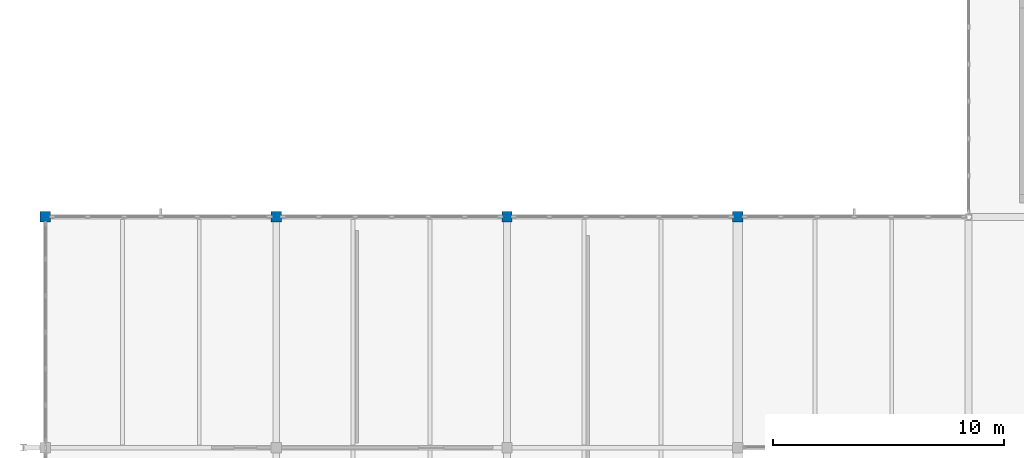
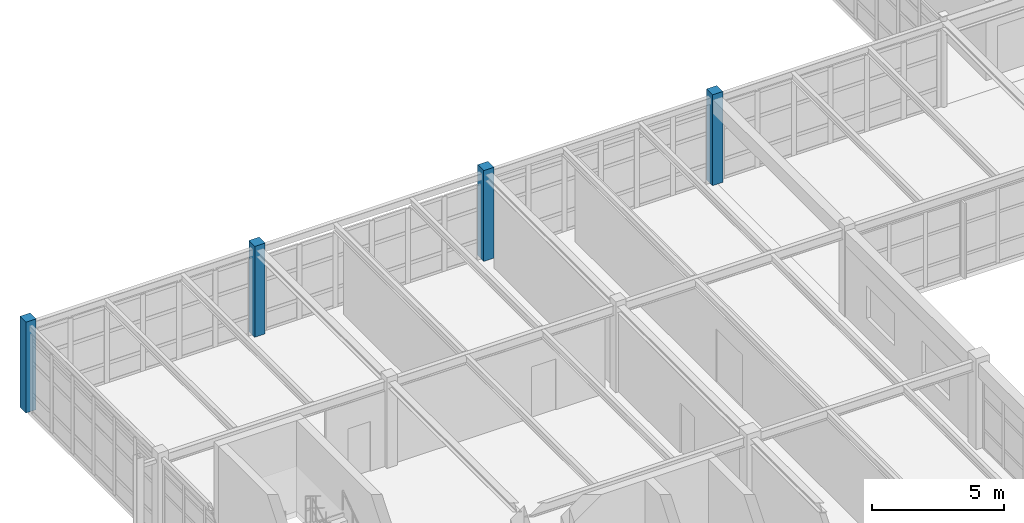
# One storey, part 11 of 122: 4 columns.
"""IFC4 building model written with IfcOpenShell, lengths in metres."""

from ifc_helpers import new_model, si_unit, direction, frame, origin, origin_2d, place, context, subcontext, project, spatial, rectangle, extrude, material, material_profile, profile_set, type_object, element, save


model = new_model("IFC4")

# Units and contexts
model_context = context("Model", 3, precision=1e-05, world=origin(), true_north=direction((0.0, 1.0)))
body_context = subcontext(model_context, "Body", "Model", "MODEL_VIEW")
ifc_project = project(units=[si_unit("LENGTHUNIT", "METRE"), si_unit("AREAUNIT", "SQUARE_METRE"), si_unit("VOLUMEUNIT", "CUBIC_METRE"), si_unit("PLANEANGLEUNIT", "RADIAN"), si_unit("MASSUNIT", "GRAM", prefix="KILO"), si_unit("THERMODYNAMICTEMPERATUREUNIT", "KELVIN"), si_unit("POWERUNIT", "WATT")], contexts=[model_context])

# Site, building, storey
site_placement = place(None, origin())
site = spatial("IfcSite", under=ifc_project, at=site_placement, CompositionType="ELEMENT")
building_placement = place(site_placement, origin())
building = spatial("IfcBuilding", under=site, at=building_placement, Name="Korenveer Ferry Terminal", CompositionType="ELEMENT")
storey_placement = place(building_placement, frame((0.0, 0.0, 10.199951171875)))
storey = spatial("IfcBuildingStorey", under=building, at=storey_placement, Name="L02", CompositionType="ELEMENT", Elevation=10.199951171875)

# Columns
ifc_material = material(Name="Concrete C45/55", Category="concrete")
ifc_material_profile = material_profile(ifc_material, rectangle(XDim=0.449951171875, YDim=0.449951171875, at=origin_2d()), Name="RC 450x450")
ifc_profile_set = profile_set([ifc_material_profile], Name="Concrete C45/55")
column_type = type_object("IfcColumnType", Name="STR-COL-RC450", PredefinedType="COLUMN", material=ifc_profile_set)
for number, where, z_axis, x_axis, name in (
    (1, (0.0, 80.0, 0.0), (0.0, 0.0, 1.0), (1.0, 0.0, 0.0), "Column COL-L02-X0-Y80"),
    (2, (10.0, 80.0, 0.0), (0.0, 0.0, 1.0), (1.0, 0.0, 0.0), "Column COL-L02-X10-Y80"),
    (3, (20.0, 80.0, 0.0), (0.0, 0.0, 1.0), (1.0, 0.0, 0.0), "Column COL-L02-X20-Y80"),
    (4, (30.0, 80.0, 0.0), (0.0, 0.0, 1.0), (1.0, 0.0, 0.0), "Column COL-L02-X30-Y80"),
):
    element("IfcColumn", number, at=place(storey_placement, frame(where, z_axis=z_axis, x_axis=x_axis)), inside=storey, type_object=column_type, Name=name, PredefinedType="COLUMN", context=body_context, shape_type="SweptSolid", body=[
        extrude(rectangle(XDim=0.449951171875, YDim=0.449951171875, at=origin_2d()), origin(), (0.0, 0.0, 1.0), 4.199951171875),
    ])

save(model, "model.ifc")
